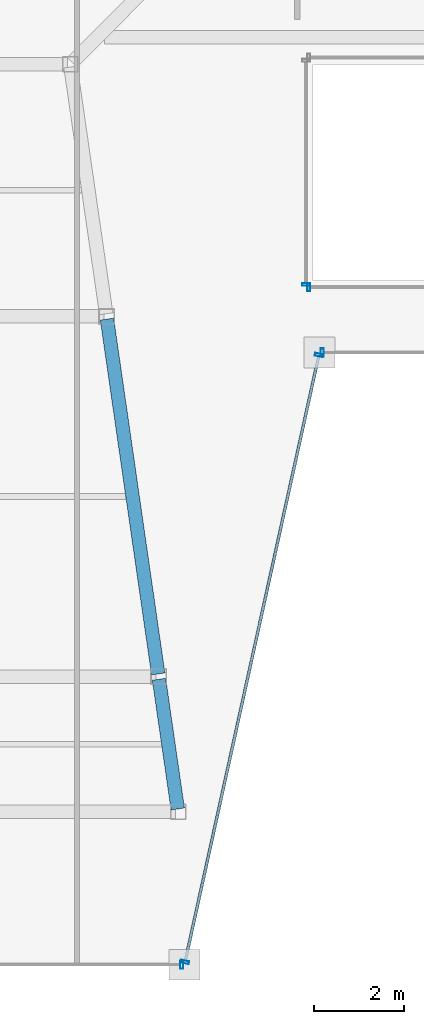
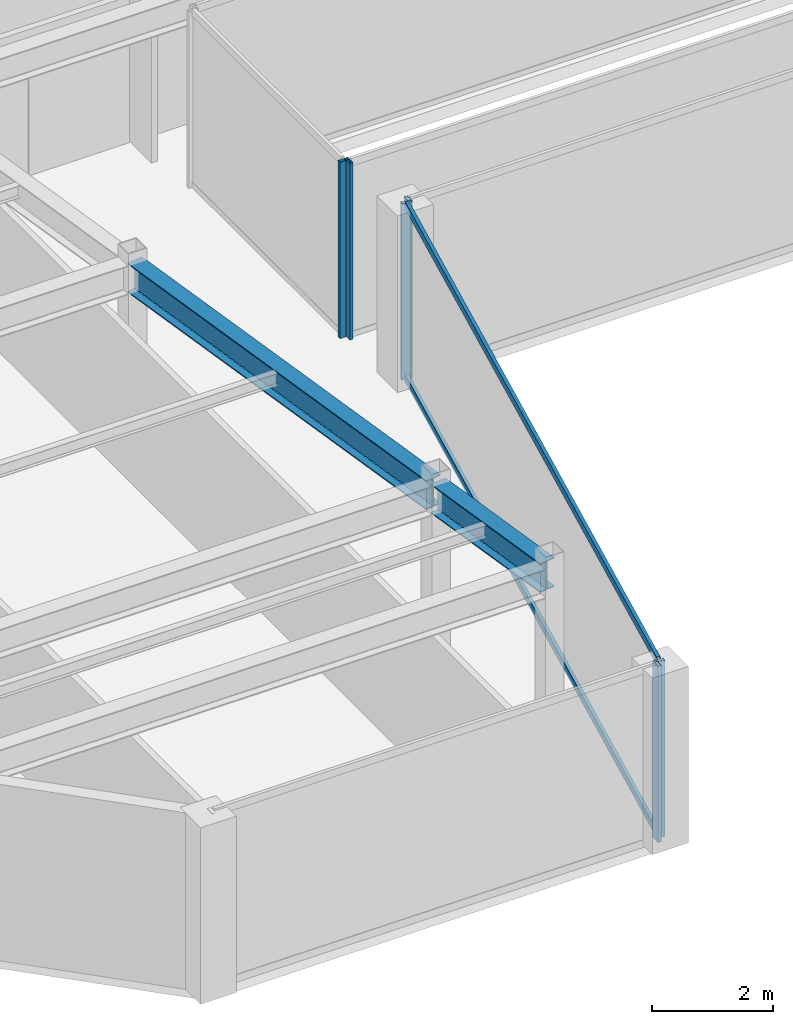
# One storey, part 5 of 32: 8 members, 2 beams, 5 elements without a shape of their own.
"""IFC4 building model written with IfcOpenShell, lengths in metres."""

from ifc_helpers import new_model, si_unit, direction, frame, origin, origin_2d, place, context, subcontext, project, spatial, hollow_rectangle, i_section, extrude, material, material_profile, profile_set, type_object, element, aggregate, save


model = new_model("IFC4")

# Units and contexts
model_context = context("Model", 3, precision=1e-05, world=origin(), true_north=direction((0.0, 1.0)))
body_context = subcontext(model_context, "Body", "Model", "MODEL_VIEW")
ifc_project = project(units=[si_unit("LENGTHUNIT", "METRE"), si_unit("AREAUNIT", "SQUARE_METRE"), si_unit("VOLUMEUNIT", "CUBIC_METRE"), si_unit("PLANEANGLEUNIT", "RADIAN"), si_unit("MASSUNIT", "GRAM", prefix="KILO")], contexts=[model_context])

# Site, building, storey
site_placement = place(None, origin())
site = spatial("IfcSite", under=ifc_project, at=site_placement, CompositionType="ELEMENT")
building_placement = place(site_placement, origin())
building = spatial("IfcBuilding", under=site, at=building_placement, Name="Saevonmaru Cultural Tower", CompositionType="ELEMENT")
storey_placement = place(building_placement, frame((0.0, 0.0, 242.0)))
storey = spatial("IfcBuildingStorey", under=building, at=storey_placement, Name="L56", CompositionType="ELEMENT", Elevation=242.0)

# Beams
ifc_material_1 = material(Name="Steel SM355", Category="steel")
ifc_material_profile_1 = material_profile(ifc_material_1, i_section(OverallWidth=0.300048828125, OverallDepth=0.587890625, WebThickness=0.011962890625, FlangeThickness=0.02001953125, FilletRadius=0.02392578125, at=origin_2d()), Name="H-588x300x12x20")
ifc_profile_set_1 = profile_set([ifc_material_profile_1], Name="Steel SM355")
beam_type = type_object("IfcBeamType", Name="BM-G-H588", PredefinedType="BEAM", material=ifc_profile_set_1)
beam_1_placement = place(storey_placement, frame((21.197509765625, 21.059326171875, 3.256103515625), z_axis=(-0.143229094195, 0.989689560709, 0.0), x_axis=(-0.989689560709, -0.143229094195, 0.0)))
element("IfcBeam", 1, at=beam_1_placement, inside=storey, type_object=beam_type, Name="L56 West Atrium Girder 1", PredefinedType="BEAM", context=body_context, shape_type="SweptSolid", body=[
    extrude(i_section(OverallWidth=0.300048828125, OverallDepth=0.587890625, WebThickness=0.011962890625, FlangeThickness=0.02001953125, FilletRadius=0.02392578125, at=origin_2d()), origin(), (0.0, 0.0, 1.0), 2.911376953125),
])
beam_2_placement = place(storey_placement, frame((20.763427734375, 24.059326171875, 3.256103515625), z_axis=(-0.142902032203, 0.989736838353, 0.0), x_axis=(-0.989736838353, -0.142902032203, 0.0)))
element("IfcBeam", 2, at=beam_2_placement, inside=storey, type_object=beam_type, Name="L56 West Atrium Girder 2", PredefinedType="BEAM", context=body_context, shape_type="SweptSolid", body=[
    extrude(i_section(OverallWidth=0.300048828125, OverallDepth=0.587890625, WebThickness=0.011962890625, FlangeThickness=0.02001953125, FilletRadius=0.02392578125, at=origin_2d()), origin(), (0.0, 0.0, 1.0), 7.963134765625),
])

# Curtain wall, member
ifc_material_2 = material(Name="Satin Bronze Anodised Aluminium", Category="aluminium")
curtain_wall_type_1 = type_object("IfcCurtainWallType", Name="CW-TYP-B", PredefinedType="NOTDEFINED", material=ifc_material_2)
curtain_wall_1_placement = place(storey_placement, origin())
curtain_wall_1 = element("IfcCurtainWall", 3, at=curtain_wall_1_placement, inside=storey, type_object=curtain_wall_type_1, Name="L56 Unitised Curtain Wall E2", PredefinedType="NOTDEFINED")
ifc_material_profile_2 = material_profile(ifc_material_2, hollow_rectangle(XDim=0.06494140625, YDim=0.179931640625, WallThickness=0.00390625, at=origin_2d()), Name="ALU-MULL-180x65x4")
ifc_profile_set_2 = profile_set([ifc_material_profile_2], Name="Satin Bronze Anodised Aluminium")
member_type_1 = type_object("IfcMemberType", Name="ML-CW-180x65", PredefinedType="MULLION", material=ifc_profile_set_2)
member_1_placement = place(storey_placement, frame((21.28662109375, 17.60009765625, 0.0), z_axis=(0.0, 0.0, 1.0), x_axis=(1.0, 0.0, 0.0)))
member_1 = element("IfcMember", 4, at=member_1_placement, type_object=member_type_1, Name="CW-TW-L56-E2 mullion 2", PredefinedType="MULLION", context=body_context, shape_type="SweptSolid", body=[
    extrude(hollow_rectangle(XDim=0.06494140625, YDim=0.179931640625, WallThickness=0.00390625, at=origin_2d()), origin(), (0.0, 0.0, 1.0), 3.550048828125),
])
aggregate(curtain_wall_1, [member_1])

# Curtain wall, members
curtain_wall_2_placement = place(storey_placement, origin())
curtain_wall_2 = element("IfcCurtainWall", 5, at=curtain_wall_2_placement, inside=storey, type_object=curtain_wall_type_1, Name="L56 Unitised Curtain Wall E3", PredefinedType="NOTDEFINED")
member_2_placement = place(storey_placement, frame((21.359619140625, 17.65869140625, 0.0), z_axis=(0.0, 0.0, 1.0), x_axis=(0.215413319953, 0.976522965212, 0.0)))
member_2 = element("IfcMember", 6, at=member_2_placement, type_object=member_type_1, Name="CW-TW-L56-E3 mullion 1", PredefinedType="MULLION", context=body_context, shape_type="SweptSolid", body=[
    extrude(hollow_rectangle(XDim=0.06494140625, YDim=0.179931640625, WallThickness=0.00390625, at=origin_2d()), origin(), (0.0, 0.0, 1.0), 3.550048828125),
])
member_3_placement = place(storey_placement, frame((24.333740234375, 31.141357421875, 0.0), z_axis=(0.0, 0.0, 1.0), x_axis=(0.215413319953, 0.976522965212, 0.0)))
member_3 = element("IfcMember", 7, at=member_3_placement, type_object=member_type_1, Name="CW-TW-L56-E3 mullion 2", PredefinedType="MULLION", context=body_context, shape_type="SweptSolid", body=[
    extrude(hollow_rectangle(XDim=0.06494140625, YDim=0.179931640625, WallThickness=0.00390625, at=origin_2d()), origin(), (0.0, 0.0, 1.0), 3.550048828125),
])

# Curtain wall, member
curtain_wall_3_placement = place(storey_placement, origin())
curtain_wall_3 = element("IfcCurtainWall", 8, at=curtain_wall_3_placement, inside=storey, type_object=curtain_wall_type_1, Name="L56 Unitised Curtain Wall E4", PredefinedType="NOTDEFINED")
member_4_placement = place(storey_placement, frame((24.40673828125, 31.199951171875, 0.0), z_axis=(0.0, 0.0, 1.0), x_axis=(1.0, 0.0, 0.0)))
member_4 = element("IfcMember", 9, at=member_4_placement, type_object=member_type_1, Name="CW-TW-L56-E4 mullion 1", PredefinedType="MULLION", context=body_context, shape_type="SweptSolid", body=[
    extrude(hollow_rectangle(XDim=0.06494140625, YDim=0.179931640625, WallThickness=0.00390625, at=origin_2d()), origin(), (0.0, 0.0, 1.0), 3.550048828125),
])
aggregate(curtain_wall_3, [member_4])

curtain_wall_type_2 = type_object("IfcCurtainWallType", Name="CW-ATR-GLZ", PredefinedType="NOTDEFINED", material=ifc_material_2)
curtain_wall_4_placement = place(storey_placement, origin())
curtain_wall_4 = element("IfcCurtainWall", 10, at=curtain_wall_4_placement, inside=storey, type_object=curtain_wall_type_2, Name="L56 Vertical Atrium Glazed Smoke Screen 1", PredefinedType="NOTDEFINED")
ifc_material_profile_3 = material_profile(ifc_material_2, hollow_rectangle(XDim=0.06494140625, YDim=0.179931640625, WallThickness=0.00390625, at=origin_2d()), Name="ALU-MULL-180x65x4")
ifc_profile_set_3 = profile_set([ifc_material_profile_3], Name="Satin Bronze Anodised Aluminium")
member_type_2 = type_object("IfcMemberType", Name="ML-CW-INT-180x65", PredefinedType="MULLION", material=ifc_profile_set_3)
member_5_placement = place(storey_placement, frame((24.110107421875, 32.64990234375, 0.0), z_axis=(0.0, 0.0, 1.0), x_axis=(1.0, 0.0, 0.0)))
member_5 = element("IfcMember", 11, at=member_5_placement, type_object=member_type_2, Name="CW-ATR-L56-1 mullion 1", PredefinedType="MULLION", context=body_context, shape_type="SweptSolid", body=[
    extrude(hollow_rectangle(XDim=0.06494140625, YDim=0.179931640625, WallThickness=0.00390625, at=origin_2d()), origin(), (0.0, 0.0, 1.0), 3.550048828125),
])
aggregate(curtain_wall_4, [member_5])

curtain_wall_5_placement = place(storey_placement, origin())
curtain_wall_5 = element("IfcCurtainWall", 12, at=curtain_wall_5_placement, inside=storey, type_object=curtain_wall_type_2, Name="L56 Vertical Atrium Glazed Smoke Screen 4", PredefinedType="NOTDEFINED")
member_6_placement = place(storey_placement, frame((24.050048828125, 32.7099609375, 0.0), z_axis=(0.0, 0.0, 1.0), x_axis=(0.0, -1.0, 0.0)))
member_6 = element("IfcMember", 13, at=member_6_placement, type_object=member_type_2, Name="CW-ATR-L56-4 mullion 2", PredefinedType="MULLION", context=body_context, shape_type="SweptSolid", body=[
    extrude(hollow_rectangle(XDim=0.06494140625, YDim=0.179931640625, WallThickness=0.00390625, at=origin_2d()), origin(), (0.0, 0.0, 1.0), 3.550048828125),
])
aggregate(curtain_wall_5, [member_6])

# Member
ifc_material_profile_4 = material_profile(ifc_material_2, hollow_rectangle(XDim=0.06494140625, YDim=0.14990234375, WallThickness=0.00390625, at=origin_2d()), Name="ALU-TRAN-150x65x4")
ifc_profile_set_4 = profile_set([ifc_material_profile_4], Name="Satin Bronze Anodised Aluminium")
member_type_3 = type_object("IfcMemberType", Name="TR-CW-150x65", PredefinedType="USERDEFINED", material=ifc_profile_set_4)
member_7_placement = place(storey_placement, frame((21.36669921875, 17.6904296875, 0.032470703125), z_axis=(0.215415884539, 0.976522399481, 0.0), x_axis=(-0.976522399481, 0.215415884539, 0.0)))
member_7 = element("IfcMember", 14, at=member_7_placement, type_object=member_type_3, Name="CW-TW-L56-E3 transom 1.1", ObjectType="TRANSOM", PredefinedType="USERDEFINED", context=body_context, shape_type="SweptSolid", body=[
    extrude(hollow_rectangle(XDim=0.06494140625, YDim=0.14990234375, WallThickness=0.00390625, at=origin_2d()), origin(), (0.0, 0.0, 1.0), 13.74169921875),
])

member_8_placement = place(storey_placement, frame((21.36669921875, 17.6904296875, 3.517578125), z_axis=(0.215415884539, 0.976522399481, 0.0), x_axis=(-0.976522399481, 0.215415884539, 0.0)))
member_8 = element("IfcMember", 15, at=member_8_placement, type_object=member_type_3, Name="CW-TW-L56-E3 transom 1.2", ObjectType="TRANSOM", PredefinedType="USERDEFINED", context=body_context, shape_type="SweptSolid", body=[
    extrude(hollow_rectangle(XDim=0.06494140625, YDim=0.14990234375, WallThickness=0.00390625, at=origin_2d()), origin(), (0.0, 0.0, 1.0), 13.74169921875),
])

aggregate(curtain_wall_2, [member_2, member_3, member_7, member_8])

save(model, "model.ifc")
